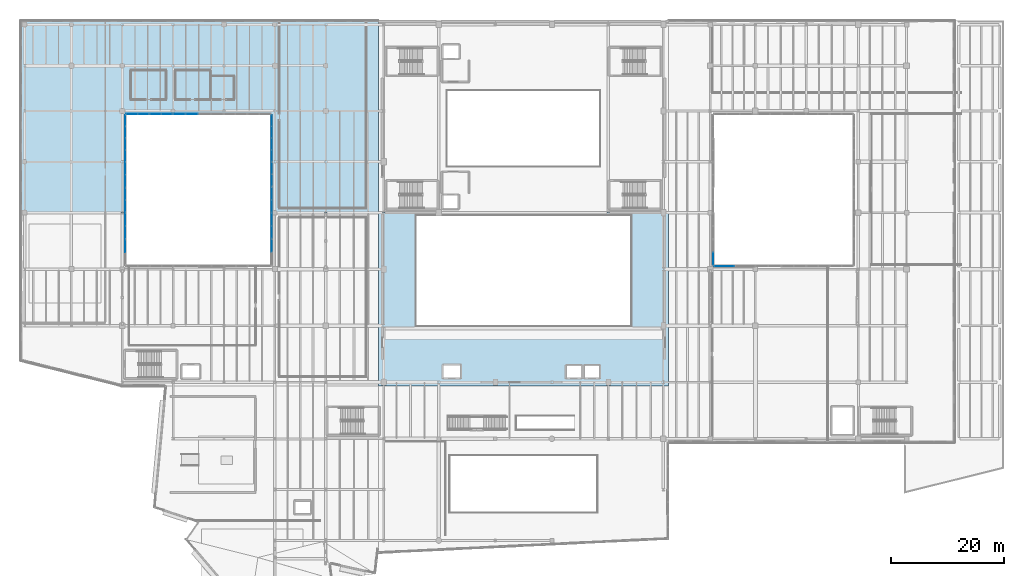
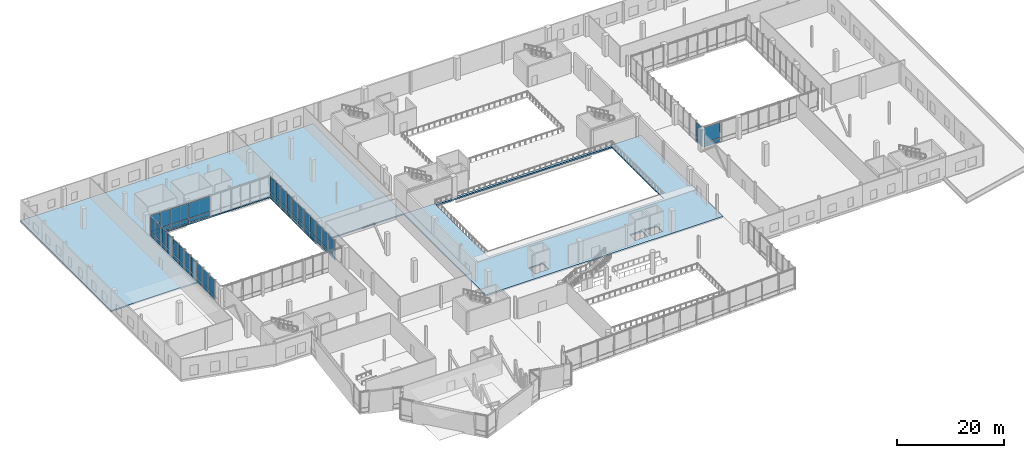
# One storey, part 48 of 73: 60 plates, 2 slabs, 17 elements without a shape of their own.
"""IFC4 building model written with IfcOpenShell, lengths in metres."""

from ifc_helpers import new_model, si_unit, direction, frame, origin, origin_2d, place, context, subcontext, project, spatial, polyline, rectangle, outline, extrude, material, layer, layer_set, type_object, element, aggregate, save


model = new_model("IFC4")

# Units and contexts
model_context = context("Model", 3, precision=1e-05, world=origin(), true_north=direction((0.0, 1.0)))
body_context = subcontext(model_context, "Body", "Model", "MODEL_VIEW")
ifc_project = project(units=[si_unit("LENGTHUNIT", "METRE"), si_unit("AREAUNIT", "SQUARE_METRE"), si_unit("VOLUMEUNIT", "CUBIC_METRE"), si_unit("PLANEANGLEUNIT", "RADIAN"), si_unit("MASSUNIT", "GRAM", prefix="KILO")], contexts=[model_context])

# Site, building, storey
site_placement = place(None, origin())
site = spatial("IfcSite", under=ifc_project, at=site_placement, CompositionType="ELEMENT")
building_placement = place(site_placement, origin())
building = spatial("IfcBuilding", under=site, at=building_placement, Name="Trimount Lyric Opera House", CompositionType="ELEMENT")
storey_placement = place(building_placement, frame((0.0, 0.0, 10.0)))
storey = spatial("IfcBuildingStorey", under=building, at=storey_placement, Name="L02", CompositionType="ELEMENT", Elevation=10.0)

# Curtain wall, plate
ifc_material_1 = material(Name="Thermally Broken Aluminium and Low-E Glass", Category="aluminium")
curtain_wall_type = type_object("IfcCurtainWallType", Name="CW-03", PredefinedType="NOTDEFINED", material=ifc_material_1)
curtain_wall_1_placement = place(storey_placement, origin())
curtain_wall_1 = element("IfcCurtainWall", 1, at=curtain_wall_1_placement, inside=storey, type_object=curtain_wall_type, Name="L02 curtain wall 204", PredefinedType="NOTDEFINED")
ifc_material_2 = material(Name="Triple Low-E Acoustic Laminated Glass", Category="glass")
ifc_layer_1 = layer(ifc_material_2, 0.035888671875)
ifc_layer_set_1 = layer_set([ifc_layer_1], Name="CWP-01")
plate_type_1 = type_object("IfcPlateType", Name="CWP-01", PredefinedType="CURTAIN_PANEL", material=ifc_layer_set_1)
plate_1_placement = place(storey_placement, frame((44.4599609375, 78.157470703125, 0.159912109375), z_axis=(0.0, 0.0, 1.0), x_axis=(0.0, 1.0, 0.0)))
plate_1 = element("IfcPlate", 2, at=plate_1_placement, type_object=plate_type_1, Name="CW-03 panel 2.1", PredefinedType="CURTAIN_PANEL", context=body_context, shape_type="SweptSolid", body=[
    extrude(rectangle(XDim=2.22509765625, YDim=0.035888671875, at=origin_2d()), origin(), (0.0, 0.0, 1.0), 0.81005859375),
])

# Curtain wall, plates
curtain_wall_2_placement = place(storey_placement, origin())
curtain_wall_2 = element("IfcCurtainWall", 3, at=curtain_wall_2_placement, inside=storey, type_object=curtain_wall_type, Name="L02 curtain wall 205", PredefinedType="NOTDEFINED")
plate_2_placement = place(storey_placement, frame((44.4599609375, 80.5888671875, 0.13525390625), z_axis=(0.0, 0.0, 1.0), x_axis=(0.0, 1.0, 0.0)))
plate_2 = element("IfcPlate", 4, at=plate_2_placement, type_object=plate_type_1, Name="CW-03 panel 1.1", PredefinedType="CURTAIN_PANEL", context=body_context, shape_type="SweptSolid", body=[
    extrude(rectangle(XDim=2.1875, YDim=0.035888671875, at=origin_2d()), origin(), (0.0, 0.0, 1.0), 0.847412109375),
])
plate_3_placement = place(storey_placement, frame((44.4599609375, 82.84130859375, 0.13525390625), z_axis=(0.0, 0.0, 1.0), x_axis=(0.0, 1.0, 0.0)))
plate_3 = element("IfcPlate", 5, at=plate_3_placement, type_object=plate_type_1, Name="CW-03 panel 2.1", PredefinedType="CURTAIN_PANEL", context=body_context, shape_type="SweptSolid", body=[
    extrude(rectangle(XDim=2.1875, YDim=0.035888671875, at=origin_2d()), origin(), (0.0, 0.0, 1.0), 0.847412109375),
])

curtain_wall_3_placement = place(storey_placement, origin())
curtain_wall_3 = element("IfcCurtainWall", 6, at=curtain_wall_3_placement, inside=storey, type_object=curtain_wall_type, Name="L02 curtain wall 206", PredefinedType="NOTDEFINED")
plate_4_placement = place(storey_placement, frame((44.4599609375, 85.20751953125, 0.114990234375), z_axis=(0.0, 0.0, 1.0), x_axis=(0.0, 1.0, 0.0)))
plate_4 = element("IfcPlate", 7, at=plate_4_placement, type_object=plate_type_1, Name="CW-03 panel 1.1", PredefinedType="CURTAIN_PANEL", context=body_context, shape_type="SweptSolid", body=[
    extrude(rectangle(XDim=2.114990234375, YDim=0.035888671875, at=origin_2d()), origin(), (0.0, 0.0, 1.0), 0.87744140625),
])
plate_5_placement = place(storey_placement, frame((44.4599609375, 87.382568359375, 0.114990234375), z_axis=(0.0, 0.0, 1.0), x_axis=(0.0, 1.0, 0.0)))
plate_5 = element("IfcPlate", 8, at=plate_5_placement, type_object=plate_type_1, Name="CW-03 panel 2.1", PredefinedType="CURTAIN_PANEL", context=body_context, shape_type="SweptSolid", body=[
    extrude(rectangle(XDim=2.114990234375, YDim=0.035888671875, at=origin_2d()), origin(), (0.0, 0.0, 1.0), 0.87744140625),
])

curtain_wall_4_placement = place(storey_placement, origin())
curtain_wall_4 = element("IfcCurtainWall", 9, at=curtain_wall_4_placement, inside=storey, type_object=curtain_wall_type, Name="L02 curtain wall 207", PredefinedType="NOTDEFINED")
plate_6_placement = place(storey_placement, frame((44.4599609375, 89.7099609375, 0.159912109375), z_axis=(0.0, 0.0, 1.0), x_axis=(0.0, 1.0, 0.0)))
plate_6 = element("IfcPlate", 10, at=plate_6_placement, type_object=plate_type_1, Name="CW-03 panel 1.1", PredefinedType="CURTAIN_PANEL", context=body_context, shape_type="SweptSolid", body=[
    extrude(rectangle(XDim=2.10009765625, YDim=0.035888671875, at=origin_2d()), origin(), (0.0, 0.0, 1.0), 0.81005859375),
])
plate_7_placement = place(storey_placement, frame((44.4599609375, 91.8798828125, 0.159912109375), z_axis=(0.0, 0.0, 1.0), x_axis=(0.0, 1.0, 0.0)))
plate_7 = element("IfcPlate", 11, at=plate_7_placement, type_object=plate_type_1, Name="CW-03 panel 2.1", PredefinedType="CURTAIN_PANEL", context=body_context, shape_type="SweptSolid", body=[
    extrude(rectangle(XDim=2.10009765625, YDim=0.035888671875, at=origin_2d()), origin(), (0.0, 0.0, 1.0), 0.81005859375),
])

curtain_wall_5_placement = place(storey_placement, origin())
curtain_wall_5 = element("IfcCurtainWall", 12, at=curtain_wall_5_placement, inside=storey, type_object=curtain_wall_type, Name="L02 curtain wall 208", PredefinedType="NOTDEFINED")
plate_8_placement = place(storey_placement, frame((44.4599609375, 94.123779296875, 0.13525390625), z_axis=(0.0, 0.0, 1.0), x_axis=(0.0, 1.0, 0.0)))
plate_8 = element("IfcPlate", 13, at=plate_8_placement, type_object=plate_type_1, Name="CW-03 panel 1.1", PredefinedType="CURTAIN_PANEL", context=body_context, shape_type="SweptSolid", body=[
    extrude(rectangle(XDim=1.9375, YDim=0.035888671875, at=origin_2d()), origin(), (0.0, 0.0, 1.0), 0.847412109375),
])
plate_9_placement = place(storey_placement, frame((44.4599609375, 96.126220703125, 0.13525390625), z_axis=(0.0, 0.0, 1.0), x_axis=(0.0, 1.0, 0.0)))
plate_9 = element("IfcPlate", 14, at=plate_9_placement, type_object=plate_type_1, Name="CW-03 panel 2.1", PredefinedType="CURTAIN_PANEL", context=body_context, shape_type="SweptSolid", body=[
    extrude(rectangle(XDim=1.9375, YDim=0.035888671875, at=origin_2d()), origin(), (0.0, 0.0, 1.0), 0.847412109375),
])

curtain_wall_6_placement = place(storey_placement, origin())
curtain_wall_6 = element("IfcCurtainWall", 15, at=curtain_wall_6_placement, inside=storey, type_object=curtain_wall_type, Name="L02 curtain wall 209", PredefinedType="NOTDEFINED")
plate_10_placement = place(storey_placement, frame((44.4599609375, 98.282470703125, 0.114990234375), z_axis=(0.0, 0.0, 1.0), x_axis=(0.0, 1.0, 0.0)))
plate_10 = element("IfcPlate", 16, at=plate_10_placement, type_object=plate_type_1, Name="CW-03 panel 1.1", PredefinedType="CURTAIN_PANEL", context=body_context, shape_type="SweptSolid", body=[
    extrude(rectangle(XDim=1.945068359375, YDim=0.035888671875, at=origin_2d()), origin(), (0.0, 0.0, 1.0), 0.87744140625),
])
plate_11_placement = place(storey_placement, frame((44.4599609375, 100.28759765625, 0.114990234375), z_axis=(0.0, 0.0, 1.0), x_axis=(0.0, 1.0, 0.0)))
plate_11 = element("IfcPlate", 17, at=plate_11_placement, type_object=plate_type_1, Name="CW-03 panel 2.1", PredefinedType="CURTAIN_PANEL", context=body_context, shape_type="SweptSolid", body=[
    extrude(rectangle(XDim=1.945068359375, YDim=0.035888671875, at=origin_2d()), origin(), (0.0, 0.0, 1.0), 0.87744140625),
])

curtain_wall_7_placement = place(storey_placement, origin())
curtain_wall_7 = element("IfcCurtainWall", 18, at=curtain_wall_7_placement, inside=storey, type_object=curtain_wall_type, Name="L02 curtain wall 213", PredefinedType="NOTDEFINED")
plate_12_placement = place(storey_placement, frame((30.2900390625, 101.4599609375, 0.159912109375), z_axis=(0.0, 0.0, 1.0), x_axis=(-1.0, 0.0, 0.0)))
plate_12 = element("IfcPlate", 19, at=plate_12_placement, type_object=plate_type_1, Name="CW-03 panel 1.1", PredefinedType="CURTAIN_PANEL", context=body_context, shape_type="SweptSolid", body=[
    extrude(rectangle(XDim=2.10009765625, YDim=0.035888671875, at=origin_2d()), origin(), (0.0, 0.0, 1.0), 0.81005859375),
])
plate_13_placement = place(storey_placement, frame((28.1201171875, 101.4599609375, 0.159912109375), z_axis=(0.0, 0.0, 1.0), x_axis=(-1.0, 0.0, 0.0)))
plate_13 = element("IfcPlate", 20, at=plate_13_placement, type_object=plate_type_1, Name="CW-03 panel 2.1", PredefinedType="CURTAIN_PANEL", context=body_context, shape_type="SweptSolid", body=[
    extrude(rectangle(XDim=2.10009765625, YDim=0.035888671875, at=origin_2d()), origin(), (0.0, 0.0, 1.0), 0.81005859375),
])

curtain_wall_8_placement = place(storey_placement, origin())
curtain_wall_8 = element("IfcCurtainWall", 21, at=curtain_wall_8_placement, inside=storey, type_object=curtain_wall_type, Name="L02 curtain wall 214", PredefinedType="NOTDEFINED")
plate_14_placement = place(storey_placement, frame((25.876220703125, 101.4599609375, 0.13525390625), z_axis=(0.0, 0.0, 1.0), x_axis=(-1.0, 0.0, 0.0)))
plate_14 = element("IfcPlate", 22, at=plate_14_placement, type_object=plate_type_1, Name="CW-03 panel 1.1", PredefinedType="CURTAIN_PANEL", context=body_context, shape_type="SweptSolid", body=[
    extrude(rectangle(XDim=1.9375, YDim=0.035888671875, at=origin_2d()), origin(), (0.0, 0.0, 1.0), 0.847412109375),
])
plate_15_placement = place(storey_placement, frame((23.873779296875, 101.4599609375, 0.13525390625), z_axis=(0.0, 0.0, 1.0), x_axis=(-1.0, 0.0, 0.0)))
plate_15 = element("IfcPlate", 23, at=plate_15_placement, type_object=plate_type_1, Name="CW-03 panel 2.1", PredefinedType="CURTAIN_PANEL", context=body_context, shape_type="SweptSolid", body=[
    extrude(rectangle(XDim=1.9375, YDim=0.035888671875, at=origin_2d()), origin(), (0.0, 0.0, 1.0), 0.847412109375),
])

curtain_wall_9_placement = place(storey_placement, origin())
curtain_wall_9 = element("IfcCurtainWall", 24, at=curtain_wall_9_placement, inside=storey, type_object=curtain_wall_type, Name="L02 curtain wall 215", PredefinedType="NOTDEFINED")
plate_16_placement = place(storey_placement, frame((21.717529296875, 101.4599609375, 0.114990234375), z_axis=(0.0, 0.0, 1.0), x_axis=(-1.0, 0.0, 0.0)))
plate_16 = element("IfcPlate", 25, at=plate_16_placement, type_object=plate_type_1, Name="CW-03 panel 1.1", PredefinedType="CURTAIN_PANEL", context=body_context, shape_type="SweptSolid", body=[
    extrude(rectangle(XDim=1.945068359375, YDim=0.035888671875, at=origin_2d()), origin(), (0.0, 0.0, 1.0), 0.87744140625),
])
plate_17_placement = place(storey_placement, frame((19.71240234375, 101.4599609375, 0.114990234375), z_axis=(0.0, 0.0, 1.0), x_axis=(-1.0, 0.0, 0.0)))
plate_17 = element("IfcPlate", 26, at=plate_17_placement, type_object=plate_type_1, Name="CW-03 panel 2.1", PredefinedType="CURTAIN_PANEL", context=body_context, shape_type="SweptSolid", body=[
    extrude(rectangle(XDim=1.945068359375, YDim=0.035888671875, at=origin_2d()), origin(), (0.0, 0.0, 1.0), 0.87744140625),
])

curtain_wall_10_placement = place(storey_placement, origin())
curtain_wall_10 = element("IfcCurtainWall", 27, at=curtain_wall_10_placement, inside=storey, type_object=curtain_wall_type, Name="L02 curtain wall 216", PredefinedType="NOTDEFINED")
plate_18_placement = place(storey_placement, frame((18.5400390625, 100.262451171875, 0.159912109375), z_axis=(0.0, 0.0, 1.0), x_axis=(0.0, -1.0, 0.0)))
plate_18 = element("IfcPlate", 28, at=plate_18_placement, type_object=plate_type_1, Name="CW-03 panel 1.1", PredefinedType="CURTAIN_PANEL", context=body_context, shape_type="SweptSolid", body=[
    extrude(rectangle(XDim=1.97509765625, YDim=0.035888671875, at=origin_2d()), origin(), (0.0, 0.0, 1.0), 0.81005859375),
])
plate_19_placement = place(storey_placement, frame((18.5400390625, 98.217529296875, 0.159912109375), z_axis=(0.0, 0.0, 1.0), x_axis=(0.0, -1.0, 0.0)))
plate_19 = element("IfcPlate", 29, at=plate_19_placement, type_object=plate_type_1, Name="CW-03 panel 2.1", PredefinedType="CURTAIN_PANEL", context=body_context, shape_type="SweptSolid", body=[
    extrude(rectangle(XDim=1.97509765625, YDim=0.035888671875, at=origin_2d()), origin(), (0.0, 0.0, 1.0), 0.81005859375),
])

curtain_wall_11_placement = place(storey_placement, origin())
curtain_wall_11 = element("IfcCurtainWall", 30, at=curtain_wall_11_placement, inside=storey, type_object=curtain_wall_type, Name="L02 curtain wall 217", PredefinedType="NOTDEFINED")
plate_20_placement = place(storey_placement, frame((18.5400390625, 96.0361328125, 0.13525390625), z_axis=(0.0, 0.0, 1.0), x_axis=(0.0, -1.0, 0.0)))
plate_20 = element("IfcPlate", 31, at=plate_20_placement, type_object=plate_type_1, Name="CW-03 panel 1.1", PredefinedType="CURTAIN_PANEL", context=body_context, shape_type="SweptSolid", body=[
    extrude(rectangle(XDim=1.9375, YDim=0.035888671875, at=origin_2d()), origin(), (0.0, 0.0, 1.0), 0.847412109375),
])
plate_21_placement = place(storey_placement, frame((18.5400390625, 94.03369140625, 0.13525390625), z_axis=(0.0, 0.0, 1.0), x_axis=(0.0, -1.0, 0.0)))
plate_21 = element("IfcPlate", 32, at=plate_21_placement, type_object=plate_type_1, Name="CW-03 panel 2.1", PredefinedType="CURTAIN_PANEL", context=body_context, shape_type="SweptSolid", body=[
    extrude(rectangle(XDim=1.9375, YDim=0.035888671875, at=origin_2d()), origin(), (0.0, 0.0, 1.0), 0.847412109375),
])

curtain_wall_12_placement = place(storey_placement, origin())
curtain_wall_12 = element("IfcCurtainWall", 33, at=curtain_wall_12_placement, inside=storey, type_object=curtain_wall_type, Name="L02 curtain wall 218", PredefinedType="NOTDEFINED")
plate_22_placement = place(storey_placement, frame((18.5400390625, 91.79248046875, 0.114990234375), z_axis=(0.0, 0.0, 1.0), x_axis=(0.0, -1.0, 0.0)))
plate_22 = element("IfcPlate", 34, at=plate_22_placement, type_object=plate_type_1, Name="CW-03 panel 1.1", PredefinedType="CURTAIN_PANEL", context=body_context, shape_type="SweptSolid", body=[
    extrude(rectangle(XDim=2.114990234375, YDim=0.035888671875, at=origin_2d()), origin(), (0.0, 0.0, 1.0), 0.87744140625),
])
plate_23_placement = place(storey_placement, frame((18.5400390625, 89.617431640625, 0.114990234375), z_axis=(0.0, 0.0, 1.0), x_axis=(0.0, -1.0, 0.0)))
plate_23 = element("IfcPlate", 35, at=plate_23_placement, type_object=plate_type_1, Name="CW-03 panel 2.1", PredefinedType="CURTAIN_PANEL", context=body_context, shape_type="SweptSolid", body=[
    extrude(rectangle(XDim=2.114990234375, YDim=0.035888671875, at=origin_2d()), origin(), (0.0, 0.0, 1.0), 0.87744140625),
])

curtain_wall_13_placement = place(storey_placement, origin())
curtain_wall_13 = element("IfcCurtainWall", 36, at=curtain_wall_13_placement, inside=storey, type_object=curtain_wall_type, Name="L02 curtain wall 219", PredefinedType="NOTDEFINED")
plate_24_placement = place(storey_placement, frame((18.5400390625, 87.2900390625, 0.159912109375), z_axis=(0.0, 0.0, 1.0), x_axis=(0.0, -1.0, 0.0)))
plate_24 = element("IfcPlate", 37, at=plate_24_placement, type_object=plate_type_1, Name="CW-03 panel 1.1", PredefinedType="CURTAIN_PANEL", context=body_context, shape_type="SweptSolid", body=[
    extrude(rectangle(XDim=2.10009765625, YDim=0.035888671875, at=origin_2d()), origin(), (0.0, 0.0, 1.0), 0.81005859375),
])
plate_25_placement = place(storey_placement, frame((18.5400390625, 85.1201171875, 0.159912109375), z_axis=(0.0, 0.0, 1.0), x_axis=(0.0, -1.0, 0.0)))
plate_25 = element("IfcPlate", 38, at=plate_25_placement, type_object=plate_type_1, Name="CW-03 panel 2.1", PredefinedType="CURTAIN_PANEL", context=body_context, shape_type="SweptSolid", body=[
    extrude(rectangle(XDim=2.10009765625, YDim=0.035888671875, at=origin_2d()), origin(), (0.0, 0.0, 1.0), 0.81005859375),
])

curtain_wall_14_placement = place(storey_placement, origin())
curtain_wall_14 = element("IfcCurtainWall", 39, at=curtain_wall_14_placement, inside=storey, type_object=curtain_wall_type, Name="L02 curtain wall 220", PredefinedType="NOTDEFINED")
plate_26_placement = place(storey_placement, frame((18.5400390625, 82.751220703125, 0.13525390625), z_axis=(0.0, 0.0, 1.0), x_axis=(0.0, -1.0, 0.0)))
plate_26 = element("IfcPlate", 40, at=plate_26_placement, type_object=plate_type_1, Name="CW-03 panel 1.1", PredefinedType="CURTAIN_PANEL", context=body_context, shape_type="SweptSolid", body=[
    extrude(rectangle(XDim=2.1875, YDim=0.035888671875, at=origin_2d()), origin(), (0.0, 0.0, 1.0), 0.847412109375),
])
plate_27_placement = place(storey_placement, frame((18.5400390625, 80.498779296875, 0.13525390625), z_axis=(0.0, 0.0, 1.0), x_axis=(0.0, -1.0, 0.0)))
plate_27 = element("IfcPlate", 41, at=plate_27_placement, type_object=plate_type_1, Name="CW-03 panel 2.1", PredefinedType="CURTAIN_PANEL", context=body_context, shape_type="SweptSolid", body=[
    extrude(rectangle(XDim=2.1875, YDim=0.035888671875, at=origin_2d()), origin(), (0.0, 0.0, 1.0), 0.847412109375),
])

# Curtain wall, plate
curtain_wall_15_placement = place(storey_placement, origin())
curtain_wall_15 = element("IfcCurtainWall", 42, at=curtain_wall_15_placement, inside=storey, type_object=curtain_wall_type, Name="L02 curtain wall 221", PredefinedType="NOTDEFINED")
plate_28_placement = place(storey_placement, frame((18.5400390625, 78.092529296875, 0.114990234375), z_axis=(0.0, 0.0, 1.0), x_axis=(0.0, -1.0, 0.0)))
plate_28 = element("IfcPlate", 43, at=plate_28_placement, type_object=plate_type_1, Name="CW-03 panel 1.1", PredefinedType="CURTAIN_PANEL", context=body_context, shape_type="SweptSolid", body=[
    extrude(rectangle(XDim=2.195068359375, YDim=0.035888671875, at=origin_2d()), origin(), (0.0, 0.0, 1.0), 0.87744140625),
])

curtain_wall_16_placement = place(storey_placement, origin())
curtain_wall_16 = element("IfcCurtainWall", 44, at=curtain_wall_16_placement, inside=storey, type_object=curtain_wall_type, Name="L02 curtain wall 222", PredefinedType="NOTDEFINED")
plate_29_placement = place(storey_placement, frame((124.510009765625, 74.5400390625, 0.159912109375), z_axis=(0.0, 0.0, 1.0), x_axis=(1.0, 0.0, 0.0)))
plate_29 = element("IfcPlate", 45, at=plate_29_placement, type_object=plate_type_1, Name="CW-03 panel 1.1", PredefinedType="CURTAIN_PANEL", context=body_context, shape_type="SweptSolid", body=[
    extrude(rectangle(XDim=3.52001953125, YDim=0.035888671875, at=origin_2d()), origin(), (0.0, 0.0, 1.0), 0.81005859375),
])

curtain_wall_17_placement = place(storey_placement, origin())
curtain_wall_17 = element("IfcCurtainWall", 46, at=curtain_wall_17_placement, inside=storey, type_object=curtain_wall_type, Name="L02 curtain wall 244", PredefinedType="NOTDEFINED")
plate_30_placement = place(storey_placement, frame((122.5400390625, 75.8388671875, 0.13525390625), z_axis=(0.0, 0.0, 1.0), x_axis=(0.0, -1.0, 0.0)))
plate_30 = element("IfcPlate", 47, at=plate_30_placement, type_object=plate_type_1, Name="CW-03 panel 2.1", PredefinedType="CURTAIN_PANEL", context=body_context, shape_type="SweptSolid", body=[
    extrude(rectangle(XDim=2.1875, YDim=0.035888671875, at=origin_2d()), origin(), (0.0, 0.0, 1.0), 0.847412109375),
])

# Plate
ifc_material_3 = material(Name="Insulated Aluminium Shadow-Box Spandrel Panel", Category="aluminium")
ifc_layer_2 = layer(ifc_material_3, 0.0419921875)
ifc_layer_set_2 = layer_set([ifc_layer_2], Name="CWP-04")
plate_type_2 = type_object("IfcPlateType", Name="CWP-04", PredefinedType="CURTAIN_PANEL", material=ifc_layer_set_2)
plate_31_placement = place(storey_placement, frame((44.4599609375, 78.157470703125, 1.1298828125), z_axis=(0.0, 0.0, 1.0), x_axis=(0.0, 1.0, 0.0)))
plate_31 = element("IfcPlate", 48, at=plate_31_placement, type_object=plate_type_2, Name="CW-03 panel 2.2", PredefinedType="CURTAIN_PANEL", context=body_context, shape_type="SweptSolid", body=[
    extrude(rectangle(XDim=2.22509765625, YDim=0.035888671875, at=origin_2d()), origin(), (0.0, 0.0, 1.0), 3.429931640625),
])

aggregate(curtain_wall_1, [plate_1, plate_31])

plate_32_placement = place(storey_placement, frame((44.4599609375, 80.5888671875, 1.11767578125), z_axis=(0.0, 0.0, 1.0), x_axis=(0.0, 1.0, 0.0)))
plate_32 = element("IfcPlate", 49, at=plate_32_placement, type_object=plate_type_2, Name="CW-03 panel 1.2", PredefinedType="CURTAIN_PANEL", context=body_context, shape_type="SweptSolid", body=[
    extrude(rectangle(XDim=2.1875, YDim=0.035888671875, at=origin_2d()), origin(), (0.0, 0.0, 1.0), 3.467529296875),
])

plate_33_placement = place(storey_placement, frame((44.4599609375, 82.84130859375, 1.11767578125), z_axis=(0.0, 0.0, 1.0), x_axis=(0.0, 1.0, 0.0)))
plate_33 = element("IfcPlate", 50, at=plate_33_placement, type_object=plate_type_2, Name="CW-03 panel 2.2", PredefinedType="CURTAIN_PANEL", context=body_context, shape_type="SweptSolid", body=[
    extrude(rectangle(XDim=2.1875, YDim=0.035888671875, at=origin_2d()), origin(), (0.0, 0.0, 1.0), 3.467529296875),
])

aggregate(curtain_wall_2, [plate_2, plate_32, plate_3, plate_33])

plate_34_placement = place(storey_placement, frame((44.4599609375, 85.20751953125, 1.107421875), z_axis=(0.0, 0.0, 1.0), x_axis=(0.0, 1.0, 0.0)))
plate_34 = element("IfcPlate", 51, at=plate_34_placement, type_object=plate_type_2, Name="CW-03 panel 1.2", PredefinedType="CURTAIN_PANEL", context=body_context, shape_type="SweptSolid", body=[
    extrude(rectangle(XDim=2.114990234375, YDim=0.035888671875, at=origin_2d()), origin(), (0.0, 0.0, 1.0), 3.49755859375),
])

plate_35_placement = place(storey_placement, frame((44.4599609375, 87.382568359375, 1.107421875), z_axis=(0.0, 0.0, 1.0), x_axis=(0.0, 1.0, 0.0)))
plate_35 = element("IfcPlate", 52, at=plate_35_placement, type_object=plate_type_2, Name="CW-03 panel 2.2", PredefinedType="CURTAIN_PANEL", context=body_context, shape_type="SweptSolid", body=[
    extrude(rectangle(XDim=2.114990234375, YDim=0.035888671875, at=origin_2d()), origin(), (0.0, 0.0, 1.0), 3.49755859375),
])

aggregate(curtain_wall_3, [plate_4, plate_34, plate_5, plate_35])

plate_36_placement = place(storey_placement, frame((44.4599609375, 89.7099609375, 1.1298828125), z_axis=(0.0, 0.0, 1.0), x_axis=(0.0, 1.0, 0.0)))
plate_36 = element("IfcPlate", 53, at=plate_36_placement, type_object=plate_type_2, Name="CW-03 panel 1.2", PredefinedType="CURTAIN_PANEL", context=body_context, shape_type="SweptSolid", body=[
    extrude(rectangle(XDim=2.10009765625, YDim=0.035888671875, at=origin_2d()), origin(), (0.0, 0.0, 1.0), 3.429931640625),
])

plate_37_placement = place(storey_placement, frame((44.4599609375, 91.8798828125, 1.1298828125), z_axis=(0.0, 0.0, 1.0), x_axis=(0.0, 1.0, 0.0)))
plate_37 = element("IfcPlate", 54, at=plate_37_placement, type_object=plate_type_2, Name="CW-03 panel 2.2", PredefinedType="CURTAIN_PANEL", context=body_context, shape_type="SweptSolid", body=[
    extrude(rectangle(XDim=2.10009765625, YDim=0.035888671875, at=origin_2d()), origin(), (0.0, 0.0, 1.0), 3.429931640625),
])

aggregate(curtain_wall_4, [plate_6, plate_36, plate_7, plate_37])

plate_38_placement = place(storey_placement, frame((44.4599609375, 94.123779296875, 1.11767578125), z_axis=(0.0, 0.0, 1.0), x_axis=(0.0, 1.0, 0.0)))
plate_38 = element("IfcPlate", 55, at=plate_38_placement, type_object=plate_type_2, Name="CW-03 panel 1.2", PredefinedType="CURTAIN_PANEL", context=body_context, shape_type="SweptSolid", body=[
    extrude(rectangle(XDim=1.9375, YDim=0.035888671875, at=origin_2d()), origin(), (0.0, 0.0, 1.0), 3.467529296875),
])

plate_39_placement = place(storey_placement, frame((44.4599609375, 96.126220703125, 1.11767578125), z_axis=(0.0, 0.0, 1.0), x_axis=(0.0, 1.0, 0.0)))
plate_39 = element("IfcPlate", 56, at=plate_39_placement, type_object=plate_type_2, Name="CW-03 panel 2.2", PredefinedType="CURTAIN_PANEL", context=body_context, shape_type="SweptSolid", body=[
    extrude(rectangle(XDim=1.9375, YDim=0.035888671875, at=origin_2d()), origin(), (0.0, 0.0, 1.0), 3.467529296875),
])

aggregate(curtain_wall_5, [plate_8, plate_38, plate_9, plate_39])

plate_40_placement = place(storey_placement, frame((44.4599609375, 98.282470703125, 1.107421875), z_axis=(0.0, 0.0, 1.0), x_axis=(0.0, 1.0, 0.0)))
plate_40 = element("IfcPlate", 57, at=plate_40_placement, type_object=plate_type_2, Name="CW-03 panel 1.2", PredefinedType="CURTAIN_PANEL", context=body_context, shape_type="SweptSolid", body=[
    extrude(rectangle(XDim=1.945068359375, YDim=0.035888671875, at=origin_2d()), origin(), (0.0, 0.0, 1.0), 3.49755859375),
])

plate_41_placement = place(storey_placement, frame((44.4599609375, 100.28759765625, 1.107421875), z_axis=(0.0, 0.0, 1.0), x_axis=(0.0, 1.0, 0.0)))
plate_41 = element("IfcPlate", 58, at=plate_41_placement, type_object=plate_type_2, Name="CW-03 panel 2.2", PredefinedType="CURTAIN_PANEL", context=body_context, shape_type="SweptSolid", body=[
    extrude(rectangle(XDim=1.945068359375, YDim=0.035888671875, at=origin_2d()), origin(), (0.0, 0.0, 1.0), 3.49755859375),
])

aggregate(curtain_wall_6, [plate_10, plate_40, plate_11, plate_41])

plate_42_placement = place(storey_placement, frame((30.2900390625, 101.4599609375, 1.1298828125), z_axis=(0.0, 0.0, 1.0), x_axis=(-1.0, 0.0, 0.0)))
plate_42 = element("IfcPlate", 59, at=plate_42_placement, type_object=plate_type_2, Name="CW-03 panel 1.2", PredefinedType="CURTAIN_PANEL", context=body_context, shape_type="SweptSolid", body=[
    extrude(rectangle(XDim=2.10009765625, YDim=0.035888671875, at=origin_2d()), origin(), (0.0, 0.0, 1.0), 3.429931640625),
])

plate_43_placement = place(storey_placement, frame((28.1201171875, 101.4599609375, 1.1298828125), z_axis=(0.0, 0.0, 1.0), x_axis=(-1.0, 0.0, 0.0)))
plate_43 = element("IfcPlate", 60, at=plate_43_placement, type_object=plate_type_2, Name="CW-03 panel 2.2", PredefinedType="CURTAIN_PANEL", context=body_context, shape_type="SweptSolid", body=[
    extrude(rectangle(XDim=2.10009765625, YDim=0.035888671875, at=origin_2d()), origin(), (0.0, 0.0, 1.0), 3.429931640625),
])

aggregate(curtain_wall_7, [plate_12, plate_42, plate_13, plate_43])

plate_44_placement = place(storey_placement, frame((25.876220703125, 101.4599609375, 1.11767578125), z_axis=(0.0, 0.0, 1.0), x_axis=(-1.0, 0.0, 0.0)))
plate_44 = element("IfcPlate", 61, at=plate_44_placement, type_object=plate_type_2, Name="CW-03 panel 1.2", PredefinedType="CURTAIN_PANEL", context=body_context, shape_type="SweptSolid", body=[
    extrude(rectangle(XDim=1.9375, YDim=0.035888671875, at=origin_2d()), origin(), (0.0, 0.0, 1.0), 3.467529296875),
])

plate_45_placement = place(storey_placement, frame((23.873779296875, 101.4599609375, 1.11767578125), z_axis=(0.0, 0.0, 1.0), x_axis=(-1.0, 0.0, 0.0)))
plate_45 = element("IfcPlate", 62, at=plate_45_placement, type_object=plate_type_2, Name="CW-03 panel 2.2", PredefinedType="CURTAIN_PANEL", context=body_context, shape_type="SweptSolid", body=[
    extrude(rectangle(XDim=1.9375, YDim=0.035888671875, at=origin_2d()), origin(), (0.0, 0.0, 1.0), 3.467529296875),
])

aggregate(curtain_wall_8, [plate_14, plate_44, plate_15, plate_45])

plate_46_placement = place(storey_placement, frame((21.717529296875, 101.4599609375, 1.107421875), z_axis=(0.0, 0.0, 1.0), x_axis=(-1.0, 0.0, 0.0)))
plate_46 = element("IfcPlate", 63, at=plate_46_placement, type_object=plate_type_2, Name="CW-03 panel 1.2", PredefinedType="CURTAIN_PANEL", context=body_context, shape_type="SweptSolid", body=[
    extrude(rectangle(XDim=1.945068359375, YDim=0.035888671875, at=origin_2d()), origin(), (0.0, 0.0, 1.0), 3.49755859375),
])

plate_47_placement = place(storey_placement, frame((19.71240234375, 101.4599609375, 1.107421875), z_axis=(0.0, 0.0, 1.0), x_axis=(-1.0, 0.0, 0.0)))
plate_47 = element("IfcPlate", 64, at=plate_47_placement, type_object=plate_type_2, Name="CW-03 panel 2.2", PredefinedType="CURTAIN_PANEL", context=body_context, shape_type="SweptSolid", body=[
    extrude(rectangle(XDim=1.945068359375, YDim=0.035888671875, at=origin_2d()), origin(), (0.0, 0.0, 1.0), 3.49755859375),
])

aggregate(curtain_wall_9, [plate_16, plate_46, plate_17, plate_47])

plate_48_placement = place(storey_placement, frame((18.5400390625, 100.262451171875, 1.1298828125), z_axis=(0.0, 0.0, 1.0), x_axis=(0.0, -1.0, 0.0)))
plate_48 = element("IfcPlate", 65, at=plate_48_placement, type_object=plate_type_2, Name="CW-03 panel 1.2", PredefinedType="CURTAIN_PANEL", context=body_context, shape_type="SweptSolid", body=[
    extrude(rectangle(XDim=1.97509765625, YDim=0.035888671875, at=origin_2d()), origin(), (0.0, 0.0, 1.0), 3.429931640625),
])

plate_49_placement = place(storey_placement, frame((18.5400390625, 98.217529296875, 1.1298828125), z_axis=(0.0, 0.0, 1.0), x_axis=(0.0, -1.0, 0.0)))
plate_49 = element("IfcPlate", 66, at=plate_49_placement, type_object=plate_type_2, Name="CW-03 panel 2.2", PredefinedType="CURTAIN_PANEL", context=body_context, shape_type="SweptSolid", body=[
    extrude(rectangle(XDim=1.97509765625, YDim=0.035888671875, at=origin_2d()), origin(), (0.0, 0.0, 1.0), 3.429931640625),
])

aggregate(curtain_wall_10, [plate_18, plate_48, plate_19, plate_49])

plate_50_placement = place(storey_placement, frame((18.5400390625, 96.0361328125, 1.11767578125), z_axis=(0.0, 0.0, 1.0), x_axis=(0.0, -1.0, 0.0)))
plate_50 = element("IfcPlate", 67, at=plate_50_placement, type_object=plate_type_2, Name="CW-03 panel 1.2", PredefinedType="CURTAIN_PANEL", context=body_context, shape_type="SweptSolid", body=[
    extrude(rectangle(XDim=1.9375, YDim=0.035888671875, at=origin_2d()), origin(), (0.0, 0.0, 1.0), 3.467529296875),
])

plate_51_placement = place(storey_placement, frame((18.5400390625, 94.03369140625, 1.11767578125), z_axis=(0.0, 0.0, 1.0), x_axis=(0.0, -1.0, 0.0)))
plate_51 = element("IfcPlate", 68, at=plate_51_placement, type_object=plate_type_2, Name="CW-03 panel 2.2", PredefinedType="CURTAIN_PANEL", context=body_context, shape_type="SweptSolid", body=[
    extrude(rectangle(XDim=1.9375, YDim=0.035888671875, at=origin_2d()), origin(), (0.0, 0.0, 1.0), 3.467529296875),
])

aggregate(curtain_wall_11, [plate_20, plate_50, plate_21, plate_51])

plate_52_placement = place(storey_placement, frame((18.5400390625, 91.79248046875, 1.107421875), z_axis=(0.0, 0.0, 1.0), x_axis=(0.0, -1.0, 0.0)))
plate_52 = element("IfcPlate", 69, at=plate_52_placement, type_object=plate_type_2, Name="CW-03 panel 1.2", PredefinedType="CURTAIN_PANEL", context=body_context, shape_type="SweptSolid", body=[
    extrude(rectangle(XDim=2.114990234375, YDim=0.035888671875, at=origin_2d()), origin(), (0.0, 0.0, 1.0), 3.49755859375),
])

plate_53_placement = place(storey_placement, frame((18.5400390625, 89.617431640625, 1.107421875), z_axis=(0.0, 0.0, 1.0), x_axis=(0.0, -1.0, 0.0)))
plate_53 = element("IfcPlate", 70, at=plate_53_placement, type_object=plate_type_2, Name="CW-03 panel 2.2", PredefinedType="CURTAIN_PANEL", context=body_context, shape_type="SweptSolid", body=[
    extrude(rectangle(XDim=2.114990234375, YDim=0.035888671875, at=origin_2d()), origin(), (0.0, 0.0, 1.0), 3.49755859375),
])

aggregate(curtain_wall_12, [plate_22, plate_52, plate_23, plate_53])

plate_54_placement = place(storey_placement, frame((18.5400390625, 87.2900390625, 1.1298828125), z_axis=(0.0, 0.0, 1.0), x_axis=(0.0, -1.0, 0.0)))
plate_54 = element("IfcPlate", 71, at=plate_54_placement, type_object=plate_type_2, Name="CW-03 panel 1.2", PredefinedType="CURTAIN_PANEL", context=body_context, shape_type="SweptSolid", body=[
    extrude(rectangle(XDim=2.10009765625, YDim=0.035888671875, at=origin_2d()), origin(), (0.0, 0.0, 1.0), 3.429931640625),
])

plate_55_placement = place(storey_placement, frame((18.5400390625, 85.1201171875, 1.1298828125), z_axis=(0.0, 0.0, 1.0), x_axis=(0.0, -1.0, 0.0)))
plate_55 = element("IfcPlate", 72, at=plate_55_placement, type_object=plate_type_2, Name="CW-03 panel 2.2", PredefinedType="CURTAIN_PANEL", context=body_context, shape_type="SweptSolid", body=[
    extrude(rectangle(XDim=2.10009765625, YDim=0.035888671875, at=origin_2d()), origin(), (0.0, 0.0, 1.0), 3.429931640625),
])

aggregate(curtain_wall_13, [plate_24, plate_54, plate_25, plate_55])

plate_56_placement = place(storey_placement, frame((18.5400390625, 82.751220703125, 1.11767578125), z_axis=(0.0, 0.0, 1.0), x_axis=(0.0, -1.0, 0.0)))
plate_56 = element("IfcPlate", 73, at=plate_56_placement, type_object=plate_type_2, Name="CW-03 panel 1.2", PredefinedType="CURTAIN_PANEL", context=body_context, shape_type="SweptSolid", body=[
    extrude(rectangle(XDim=2.1875, YDim=0.035888671875, at=origin_2d()), origin(), (0.0, 0.0, 1.0), 3.467529296875),
])

plate_57_placement = place(storey_placement, frame((18.5400390625, 80.498779296875, 1.11767578125), z_axis=(0.0, 0.0, 1.0), x_axis=(0.0, -1.0, 0.0)))
plate_57 = element("IfcPlate", 74, at=plate_57_placement, type_object=plate_type_2, Name="CW-03 panel 2.2", PredefinedType="CURTAIN_PANEL", context=body_context, shape_type="SweptSolid", body=[
    extrude(rectangle(XDim=2.1875, YDim=0.035888671875, at=origin_2d()), origin(), (0.0, 0.0, 1.0), 3.467529296875),
])

aggregate(curtain_wall_14, [plate_26, plate_56, plate_27, plate_57])

plate_58_placement = place(storey_placement, frame((18.5400390625, 78.092529296875, 1.107421875), z_axis=(0.0, 0.0, 1.0), x_axis=(0.0, -1.0, 0.0)))
plate_58 = element("IfcPlate", 75, at=plate_58_placement, type_object=plate_type_2, Name="CW-03 panel 1.2", PredefinedType="CURTAIN_PANEL", context=body_context, shape_type="SweptSolid", body=[
    extrude(rectangle(XDim=2.195068359375, YDim=0.035888671875, at=origin_2d()), origin(), (0.0, 0.0, 1.0), 3.49755859375),
])

aggregate(curtain_wall_15, [plate_28, plate_58])

plate_59_placement = place(storey_placement, frame((124.510009765625, 74.5400390625, 1.1298828125), z_axis=(0.0, 0.0, 1.0), x_axis=(1.0, 0.0, 0.0)))
plate_59 = element("IfcPlate", 76, at=plate_59_placement, type_object=plate_type_2, Name="CW-03 panel 1.2", PredefinedType="CURTAIN_PANEL", context=body_context, shape_type="SweptSolid", body=[
    extrude(rectangle(XDim=3.52001953125, YDim=0.035888671875, at=origin_2d()), origin(), (0.0, 0.0, 1.0), 3.429931640625),
])

aggregate(curtain_wall_16, [plate_29, plate_59])

plate_60_placement = place(storey_placement, frame((122.5400390625, 75.8388671875, 1.117431640625), z_axis=(0.0, 0.0, 1.0), x_axis=(0.0, -1.0, 0.0)))
plate_60 = element("IfcPlate", 77, at=plate_60_placement, type_object=plate_type_2, Name="CW-03 panel 2.2", PredefinedType="CURTAIN_PANEL", context=body_context, shape_type="SweptSolid", body=[
    extrude(rectangle(XDim=2.1875, YDim=0.035888671875, at=origin_2d()), origin(), (0.0, 0.0, 1.0), 3.45751953125),
])

aggregate(curtain_wall_17, [plate_30, plate_60])

# Slabs
ifc_material_4 = material(Name="Concrete C40/50", Category="concrete")
ifc_layer_3 = layer(ifc_material_4, 0.280029296875)
ifc_layer_set_3 = layer_set([ifc_layer_3], Name="SL-FL280")
slab_type_1 = type_object("IfcSlabType", Name="SL-FL280", PredefinedType="FLOOR", material=ifc_layer_set_3)
slab_1_placement = place(storey_placement, frame((0.0, 0.0, -0.280029296875)))
element("IfcSlab", 78, at=slab_1_placement, inside=storey, type_object=slab_type_1, Name="L02 floor slab L02-WEST-N", PredefinedType="FLOOR", context=body_context, shape_type="SweptSolid", body=[
    extrude(outline(polyline([(63.320068359375, 118.0), (63.320068359375, 84.0), (44.320068359375, 84.0), (44.320068359375, 101.320068359375), (18.679931640625, 101.320068359375), (18.679931640625, 84.0), (0.0, 84.0), (0.0, 118.0), (63.320068359375, 118.0)])), origin(), (0.0, 0.0, 1.0), 0.280029296875),
])
ifc_material_5 = material(Name="Concrete C40/50", Category="concrete")
ifc_layer_4 = layer(ifc_material_5, 0.324951171875)
ifc_layer_set_4 = layer_set([ifc_layer_4], Name="SL-FL325")
slab_type_2 = type_object("IfcSlabType", Name="SL-FL325", PredefinedType="FLOOR", material=ifc_layer_set_4)
slab_2_placement = place(storey_placement, frame((0.0, 0.0, -0.324951171875)))
element("IfcSlab", 79, at=slab_2_placement, inside=storey, type_object=slab_type_2, Name="L02 floor slab L02-VOL1-S", PredefinedType="FLOOR", context=body_context, shape_type="SweptSolid", body=[
    extrude(outline(polyline([(114.679931640625, 84.0), (114.679931640625, 53.320068359375), (63.320068359375, 53.320068359375), (63.320068359375, 84.0), (114.679931640625, 84.0)]), holes=[polyline([(70.0, 64.0), (108.0, 64.0), (108.0, 83.5), (70.0, 83.5), (70.0, 64.0)]), polyline([(102.39990234375, 56.89990234375), (99.800048828125, 56.89990234375), (99.800048828125, 54.800048828125), (102.39990234375, 54.800048828125), (102.39990234375, 56.89990234375)]), polyline([(99.199951171875, 56.89990234375), (96.60009765625, 56.89990234375), (96.60009765625, 54.800048828125), (99.199951171875, 54.800048828125), (99.199951171875, 56.89990234375)]), polyline([(77.800048828125, 57.0), (74.800048828125, 57.0), (74.800048828125, 54.800048828125), (77.800048828125, 54.800048828125), (77.800048828125, 57.0)])]), origin(), (0.0, 0.0, 1.0), 0.324951171875),
])

save(model, "model.ifc")
